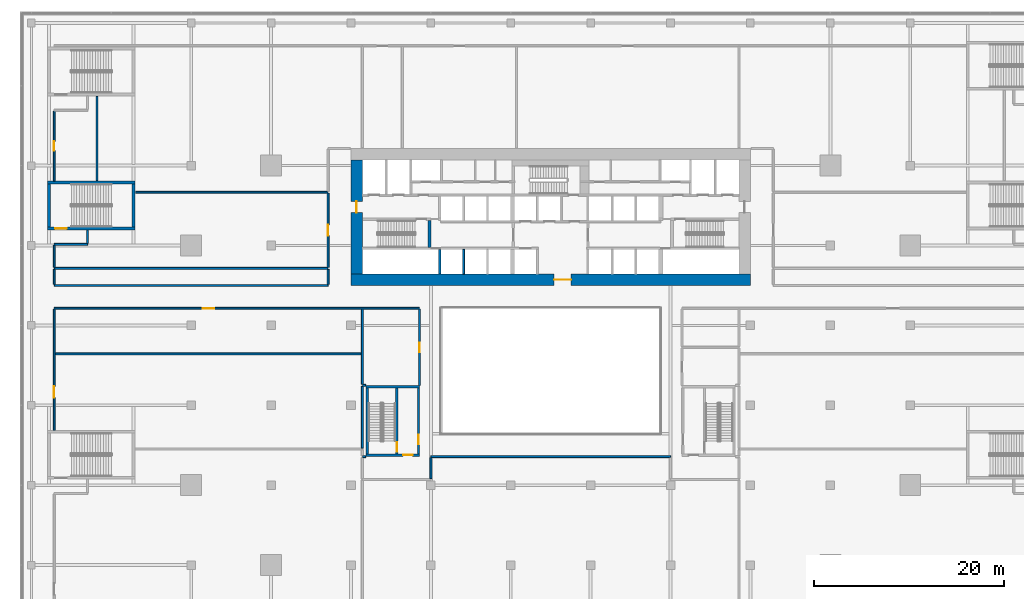
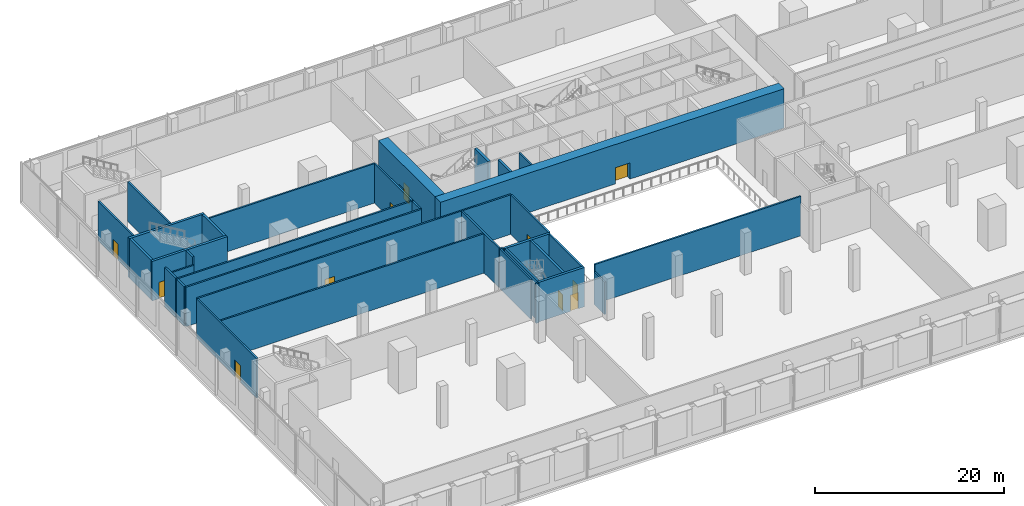
# One storey, part 27 of 39: 35 walls, 11 doors, 11 openings.
"""IFC4 building model written with IfcOpenShell, lengths in metres."""

from ifc_helpers import new_model, si_unit, direction, frame, frame_2d, origin, place, context, subcontext, project, spatial, rectangle, extrude, material, layer, layer_set, type_object, element, fill, save


model = new_model("IFC4")

# Units and contexts
model_context = context("Model", 3, precision=1e-05, world=origin(), true_north=direction((0.0, 1.0)))
body_context = subcontext(model_context, "Body", "Model", "MODEL_VIEW")
ifc_project = project(units=[si_unit("LENGTHUNIT", "METRE"), si_unit("AREAUNIT", "SQUARE_METRE"), si_unit("VOLUMEUNIT", "CUBIC_METRE"), si_unit("PLANEANGLEUNIT", "RADIAN"), si_unit("MASSUNIT", "GRAM", prefix="KILO")], contexts=[model_context])

# Site, building, storey
site_placement = place(None, origin())
site = spatial("IfcSite", under=ifc_project, at=site_placement, CompositionType="ELEMENT")
building_placement = place(site_placement, origin())
building = spatial("IfcBuilding", under=site, at=building_placement, Name="Saffron Gate Tower", CompositionType="ELEMENT")
storey_placement = place(building_placement, frame((0.0, 0.0, 9.0)))
storey = spatial("IfcBuildingStorey", under=building, at=storey_placement, Name="L01", CompositionType="ELEMENT", Elevation=9.0)

# Wall, opening, door
ifc_material_1 = material(Name="Concrete C70", Category="concrete")
ifc_layer_1 = layer(ifc_material_1, 1.199951171875)
ifc_layer_set_1 = layer_set([ifc_layer_1], Name="CW1 RC core wall 1200 C70")
wall_type_1 = type_object("IfcWallType", Name="CW1 RC core wall 1200 C70", PredefinedType="SOLIDWALL", material=ifc_layer_set_1)
wall_1_placement = place(storey_placement, frame((66.60009765625, 61.800048828125, 0.0), z_axis=(0.0, 0.0, 1.0), x_axis=(1.0, 0.0, 0.0)))
wall_1 = element("IfcWall", 1, at=wall_1_placement, inside=storey, type_object=wall_type_1, Name="Wall CW1-L01-1", PredefinedType="SOLIDWALL", context=body_context, shape_type="SweptSolid", body=[
    extrude(rectangle(XDim=42.0, YDim=1.199951171875, at=frame_2d((21.0, 0.0))), origin(), (0.0, 0.0, 1.0), 5.10009765625),
])
opening_1_placement = place(wall_1_placement, frame((21.35009765625, 0.0, 0.0)))
opening_1 = element("IfcOpeningElement", 2, at=opening_1_placement, cuts=wall_1, Name="Opening CR-09", PredefinedType="OPENING", context=body_context, shape_type="SweptSolid", body=[
    extrude(rectangle(XDim=1.800048828125, YDim=2.10009765625, at=frame_2d((0.89990234375, 1.050048828125))), frame((0.0, 0.60986328125, 0.0), z_axis=(0.0, -1.0, 0.0), x_axis=(1.0, 0.0, 0.0)), (0.0, 0.0, 1.0), 1.219970703125),
])
ifc_material_2 = material(Name="Steel fire door set", Category="steel")
door_type_1 = type_object("IfcDoorType", Name="CD1 Core entrance door 1800x2100 EI 120", OperationType="NOTDEFINED", PredefinedType="DOOR", material=ifc_material_2)
door_1_placement = place(opening_1_placement, origin())
door_1 = element("IfcDoor", 3, at=door_1_placement, inside=storey, type_object=door_type_1, Name="DOOR CR-09", OperationType="DOUBLE_DOOR_SINGLE_SWING", OverallHeight=2.10009765625, OverallWidth=1.800048828125, PredefinedType="DOOR", context=body_context, shape_type="SweptSolid", body=[
    extrude(rectangle(XDim=1.800048828125, YDim=2.10009765625, at=frame_2d((0.89990234375, 1.050048828125))), frame((0.0, 0.02490234375, 0.0), z_axis=(0.0, -1.0, 0.0), x_axis=(1.0, 0.0, 0.0)), (0.0, 0.0, 1.0), 0.050048828125),
])
fill(opening_1, door_1)

wall_2_placement = place(storey_placement, frame((67.199951171875, 62.39990234375, 0.0), z_axis=(0.0, 0.0, 1.0), x_axis=(0.0, 1.0, 0.0)))
wall_2 = element("IfcWall", 4, at=wall_2_placement, inside=storey, type_object=wall_type_1, Name="Wall CW1-L01-3", PredefinedType="SOLIDWALL", context=body_context, shape_type="SweptSolid", body=[
    extrude(rectangle(XDim=12.0, YDim=1.199951171875, at=frame_2d((6.0, 0.0))), origin(), (0.0, 0.0, 1.0), 5.10009765625),
])
opening_2_placement = place(wall_2_placement, frame((6.449951171875, 0.0, 0.0)))
opening_2 = element("IfcOpeningElement", 5, at=opening_2_placement, cuts=wall_2, Name="Opening CR-10", PredefinedType="OPENING", context=body_context, shape_type="SweptSolid", body=[
    extrude(rectangle(XDim=1.199951171875, YDim=2.10009765625, at=frame_2d((0.60009765625, 1.050048828125))), frame((0.0, 0.60986328125, 0.0), z_axis=(0.0, -1.0, 0.0), x_axis=(1.0, 0.0, 0.0)), (0.0, 0.0, 1.0), 1.219970703125),
])
door_type_2 = type_object("IfcDoorType", Name="CD7 Core entrance door 1200x2100 EI 120", OperationType="NOTDEFINED", PredefinedType="DOOR", material=ifc_material_2)
door_2_placement = place(opening_2_placement, origin())
door_2 = element("IfcDoor", 6, at=door_2_placement, inside=storey, type_object=door_type_2, Name="DOOR CR-10", OperationType="SINGLE_SWING_LEFT", OverallHeight=2.10009765625, OverallWidth=1.199951171875, PredefinedType="DOOR", context=body_context, shape_type="SweptSolid", body=[
    extrude(rectangle(XDim=1.199951171875, YDim=2.10009765625, at=frame_2d((0.60009765625, 1.050048828125))), frame((0.0, 0.02490234375, 0.0), z_axis=(0.0, -1.0, 0.0), x_axis=(1.0, 0.0, 0.0)), (0.0, 0.0, 1.0), 0.050048828125),
])
fill(opening_2, door_2)

ifc_material_3 = material(Name="Gypsum board partition on steel studs", Category="steel")
ifc_layer_2 = layer(ifc_material_3, 0.199951171875)
ifc_layer_set_2 = layer_set([ifc_layer_2], Name="CW10 Core partition 200")
wall_type_2 = type_object("IfcWallType", Name="CW10 Core partition 200", PredefinedType="PARTITIONING", material=ifc_layer_set_2)
wall_3_placement = place(storey_placement, frame((73.699951171875, 43.5, 0.0), z_axis=(0.0, 0.0, 1.0), x_axis=(0.0, 1.0, 0.0)))
wall_3 = element("IfcWall", 7, at=wall_3_placement, inside=storey, type_object=wall_type_2, Name="Wall CW10-L01-D-4", PredefinedType="PARTITIONING", context=body_context, shape_type="SweptSolid", body=[
    extrude(rectangle(XDim=6.89990234375, YDim=0.199951171875, at=frame_2d((3.449951171875, 0.0))), origin(), (0.0, 0.0, 1.0), 5.10009765625),
])
opening_3_placement = place(wall_3_placement, frame((1.0, 0.0, 0.0)))
opening_3 = element("IfcOpeningElement", 8, at=opening_3_placement, cuts=wall_3, Name="Opening CR-19", PredefinedType="OPENING", context=body_context, shape_type="SweptSolid", body=[
    extrude(rectangle(XDim=1.0, YDim=2.10009765625, at=frame_2d((0.5, 1.050048828125))), frame((0.0, 0.10986328125, 0.0), z_axis=(0.0, -1.0, 0.0), x_axis=(1.0, 0.0, 0.0)), (0.0, 0.0, 1.0), 0.219970703125),
])
door_type_3 = type_object("IfcDoorType", Name="CD4 Lobby door 1000x2100 EI 120", OperationType="NOTDEFINED", PredefinedType="DOOR", material=ifc_material_2)
door_3_placement = place(opening_3_placement, origin())
door_3 = element("IfcDoor", 9, at=door_3_placement, inside=storey, type_object=door_type_3, Name="DOOR CR-19", OperationType="SINGLE_SWING_RIGHT", OverallHeight=2.10009765625, OverallWidth=1.0, PredefinedType="DOOR", context=body_context, shape_type="SweptSolid", body=[
    extrude(rectangle(XDim=1.0, YDim=2.10009765625, at=frame_2d((0.5, 1.050048828125))), frame((0.0, 0.02490234375, 0.0), z_axis=(0.0, -1.0, 0.0), x_axis=(1.0, 0.0, 0.0)), (0.0, 0.0, 1.0), 0.050048828125),
])
fill(opening_3, door_3)

# Walls
ifc_layer_3 = layer(ifc_material_1, 0.25)
ifc_layer_set_3 = layer_set([ifc_layer_3], Name="CW2 RC core wall 250 C70")
wall_type_3 = type_object("IfcWallType", Name="CW2 RC core wall 250 C70", PredefinedType="SOLIDWALL", material=ifc_layer_set_3)
wall_4_placement = place(storey_placement, frame((75.925048828125, 62.39990234375, 0.0), z_axis=(0.0, 0.0, 1.0), x_axis=(0.0, 1.0, 0.0)))
element("IfcWall", 10, at=wall_4_placement, inside=storey, type_object=wall_type_3, Name="Wall CW2-L01-5", PredefinedType="SOLIDWALL", context=body_context, shape_type="SweptSolid", body=[
    extrude(rectangle(XDim=2.60009765625, YDim=0.25, at=frame_2d((1.300048828125, 0.0))), origin(), (0.0, 0.0, 1.0), 5.10009765625),
])
wall_5_placement = place(storey_placement, frame((68.324951171875, 43.5, 0.0), z_axis=(0.0, 0.0, 1.0), x_axis=(0.0, 1.0, 0.0)))
element("IfcWall", 11, at=wall_5_placement, inside=storey, type_object=wall_type_3, Name="Wall CW2-L01-D-2", PredefinedType="SOLIDWALL", context=body_context, shape_type="SweptSolid", body=[
    extrude(rectangle(XDim=6.89990234375, YDim=0.25, at=frame_2d((3.449951171875, 0.0))), origin(), (0.0, 0.0, 1.0), 5.10009765625),
])

# Wall, opening, door
wall_6_placement = place(storey_placement, frame((71.425048828125, 43.5, 0.0), z_axis=(0.0, 0.0, 1.0), x_axis=(0.0, 1.0, 0.0)))
wall_6 = element("IfcWall", 12, at=wall_6_placement, inside=storey, type_object=wall_type_3, Name="Wall CW2-L01-D-3", PredefinedType="SOLIDWALL", context=body_context, shape_type="SweptSolid", body=[
    extrude(rectangle(XDim=6.89990234375, YDim=0.25, at=frame_2d((3.449951171875, 0.0))), origin(), (0.0, 0.0, 1.0), 5.10009765625),
])
opening_4_placement = place(wall_6_placement, frame((0.199951171875, 0.0, 0.0)))
opening_4 = element("IfcOpeningElement", 13, at=opening_4_placement, cuts=wall_6, Name="Opening CR-20", PredefinedType="OPENING", context=body_context, shape_type="SweptSolid", body=[
    extrude(rectangle(XDim=1.0, YDim=2.10009765625, at=frame_2d((0.5, 1.050048828125))), frame((0.0, 0.135009765625, 0.0), z_axis=(0.0, -1.0, 0.0), x_axis=(1.0, 0.0, 0.0)), (0.0, 0.0, 1.0), 0.27001953125),
])
door_type_4 = type_object("IfcDoorType", Name="CD5 Stair door 1000x2100 EI 120", OperationType="NOTDEFINED", PredefinedType="DOOR", material=ifc_material_2)
door_4_placement = place(opening_4_placement, origin())
door_4 = element("IfcDoor", 14, at=door_4_placement, inside=storey, type_object=door_type_4, Name="DOOR CR-20", OperationType="SINGLE_SWING_LEFT", OverallHeight=2.10009765625, OverallWidth=1.0, PredefinedType="DOOR", context=body_context, shape_type="SweptSolid", body=[
    extrude(rectangle(XDim=1.0, YDim=2.10009765625, at=frame_2d((0.5, 1.050048828125))), frame((0.0, 0.02490234375, 0.0), z_axis=(0.0, -1.0, 0.0), x_axis=(1.0, 0.0, 0.0)), (0.0, 0.0, 1.0), 0.050048828125),
])
fill(opening_4, door_4)

# Walls
ifc_layer_4 = layer(ifc_material_1, 0.199951171875)
ifc_layer_set_4 = layer_set([ifc_layer_4], Name="CW3 RC core wall 200 C70")
wall_type_4 = type_object("IfcWallType", Name="CW3 RC core wall 200 C70", PredefinedType="SOLIDWALL", material=ifc_layer_set_4)
wall_7_placement = place(storey_placement, frame((78.449951171875, 62.39990234375, 0.0), z_axis=(0.0, 0.0, 1.0), x_axis=(0.0, 1.0, 0.0)))
element("IfcWall", 15, at=wall_7_placement, inside=storey, type_object=wall_type_4, Name="Wall CW3-L01-6", PredefinedType="SOLIDWALL", context=body_context, shape_type="SweptSolid", body=[
    extrude(rectangle(XDim=2.60009765625, YDim=0.199951171875, at=frame_2d((1.300048828125, 0.0))), origin(), (0.0, 0.0, 1.0), 5.10009765625),
])
ifc_layer_5 = layer(ifc_material_1, 0.300048828125)
ifc_layer_set_5 = layer_set([ifc_layer_5], Name="CW5 RC core wall 300 C70")
wall_type_5 = type_object("IfcWallType", Name="CW5 RC core wall 300 C70", PredefinedType="SOLIDWALL", material=ifc_layer_set_5)
wall_8_placement = place(storey_placement, frame((74.85009765625, 65.199951171875, 0.0), z_axis=(0.0, 0.0, 1.0), x_axis=(0.0, 1.0, 0.0)))
element("IfcWall", 16, at=wall_8_placement, inside=storey, type_object=wall_type_5, Name="Wall CW5-L01-16", PredefinedType="SOLIDWALL", context=body_context, shape_type="SweptSolid", body=[
    extrude(rectangle(XDim=2.85009765625, YDim=0.300048828125, at=frame_2d((1.425048828125, 0.0))), origin(), (0.0, 0.0, 1.0), 5.10009765625),
])

# Wall, opening, door
wall_9_placement = place(storey_placement, frame((68.199951171875, 43.35009765625, 0.0), z_axis=(0.0, 0.0, 1.0), x_axis=(1.0, 0.0, 0.0)))
wall_9 = element("IfcWall", 17, at=wall_9_placement, inside=storey, type_object=wall_type_5, Name="Wall CW5-L01-D-1", PredefinedType="SOLIDWALL", context=body_context, shape_type="SweptSolid", body=[
    extrude(rectangle(XDim=5.60009765625, YDim=0.300048828125, at=frame_2d((2.800048828125, 0.0))), origin(), (0.0, 0.0, 1.0), 5.10009765625),
])
opening_5_placement = place(wall_9_placement, frame((3.875, 0.0, 0.0)))
opening_5 = element("IfcOpeningElement", 18, at=opening_5_placement, cuts=wall_9, Name="Opening CR-18", PredefinedType="OPENING", context=body_context, shape_type="SweptSolid", body=[
    extrude(rectangle(XDim=1.0, YDim=2.10009765625, at=frame_2d((0.5, 1.050048828125))), frame((0.0, 0.16015625, 0.0), z_axis=(0.0, -1.0, 0.0), x_axis=(1.0, 0.0, 0.0)), (0.0, 0.0, 1.0), 0.320068359375),
])
door_5_placement = place(opening_5_placement, origin())
door_5 = element("IfcDoor", 19, at=door_5_placement, inside=storey, type_object=door_type_3, Name="DOOR CR-18", OperationType="SINGLE_SWING_RIGHT", OverallHeight=2.10009765625, OverallWidth=1.0, PredefinedType="DOOR", context=body_context, shape_type="SweptSolid", body=[
    extrude(rectangle(XDim=1.0, YDim=2.10009765625, at=frame_2d((0.5, 1.050048828125))), frame((0.0, 0.02490234375, 0.0), z_axis=(0.0, -1.0, 0.0), x_axis=(1.0, 0.0, 0.0)), (0.0, 0.0, 1.0), 0.050048828125),
])
fill(opening_5, door_5)

# Wall
wall_10_placement = place(storey_placement, frame((68.199951171875, 50.550048828125, 0.0), z_axis=(0.0, 0.0, 1.0), x_axis=(1.0, 0.0, 0.0)))
element("IfcWall", 20, at=wall_10_placement, inside=storey, type_object=wall_type_5, Name="Wall CW5-L01-D-5", PredefinedType="SOLIDWALL", context=body_context, shape_type="SweptSolid", body=[
    extrude(rectangle(XDim=5.60009765625, YDim=0.300048828125, at=frame_2d((2.800048828125, 0.0))), origin(), (0.0, 0.0, 1.0), 5.10009765625),
])

# Wall, opening, door
wall_11_placement = place(storey_placement, frame((34.699951171875, 67.175048828125, 0.0), z_axis=(0.0, 0.0, 1.0), x_axis=(1.0, 0.0, 0.0)))
wall_11 = element("IfcWall", 21, at=wall_11_placement, inside=storey, type_object=wall_type_5, Name="Wall CW5-L01-G-1", PredefinedType="SOLIDWALL", context=body_context, shape_type="SweptSolid", body=[
    extrude(rectangle(XDim=9.199951171875, YDim=0.300048828125, at=frame_2d((4.60009765625, 0.0))), origin(), (0.0, 0.0, 1.0), 5.10009765625),
])
opening_6_placement = place(wall_11_placement, frame((0.800048828125, 0.0, 0.0)))
opening_6 = element("IfcOpeningElement", 22, at=opening_6_placement, cuts=wall_11, Name="Opening CR-29", PredefinedType="OPENING", context=body_context, shape_type="SweptSolid", body=[
    extrude(rectangle(XDim=1.199951171875, YDim=2.10009765625, at=frame_2d((0.60009765625, 1.050048828125))), frame((0.0, 0.16015625, 0.0), z_axis=(0.0, -1.0, 0.0), x_axis=(1.0, 0.0, 0.0)), (0.0, 0.0, 1.0), 0.320068359375),
])
door_type_5 = type_object("IfcDoorType", Name="CD12 Stair door 1200x2100 EI 120", OperationType="NOTDEFINED", PredefinedType="DOOR", material=ifc_material_2)
door_6_placement = place(opening_6_placement, origin())
door_6 = element("IfcDoor", 23, at=door_6_placement, inside=storey, type_object=door_type_5, Name="DOOR CR-29", OperationType="SINGLE_SWING_RIGHT", OverallHeight=2.10009765625, OverallWidth=1.199951171875, PredefinedType="DOOR", context=body_context, shape_type="SweptSolid", body=[
    extrude(rectangle(XDim=1.199951171875, YDim=2.10009765625, at=frame_2d((0.60009765625, 1.050048828125))), frame((0.0, 0.02490234375, 0.0), z_axis=(0.0, -1.0, 0.0), x_axis=(1.0, 0.0, 0.0)), (0.0, 0.0, 1.0), 0.050048828125),
])
fill(opening_6, door_6)

# Walls
for number, where, z_axis, x_axis, name in (
    (24, (34.85009765625, 67.324951171875, 0.0), (0.0, 0.0, 1.0), (0.0, 1.0, 0.0), "Wall CW5-L01-G-2"),
    (25, (43.75, 67.324951171875, 0.0), (0.0, 0.0, 1.0), (0.0, 1.0, 0.0), "Wall CW5-L01-G-3"),
):
    element("IfcWall", number, at=place(storey_placement, frame(where, z_axis=z_axis, x_axis=x_axis)), inside=storey, type_object=wall_type_5, Name=name, PredefinedType="SOLIDWALL", context=body_context, shape_type="SweptSolid", body=[
        extrude(rectangle(XDim=4.550048828125, YDim=0.300048828125, at=frame_2d((2.27490234375, 0.0))), origin(), (0.0, 0.0, 1.0), 5.10009765625),
    ])
wall_12_placement = place(storey_placement, frame((34.699951171875, 72.02490234375, 0.0), z_axis=(0.0, 0.0, 1.0), x_axis=(1.0, 0.0, 0.0)))
element("IfcWall", 26, at=wall_12_placement, inside=storey, type_object=wall_type_5, Name="Wall CW5-L01-G-4", PredefinedType="SOLIDWALL", context=body_context, shape_type="SweptSolid", body=[
    extrude(rectangle(XDim=9.199951171875, YDim=0.300048828125, at=frame_2d((4.60009765625, 0.0))), origin(), (0.0, 0.0, 1.0), 5.10009765625),
])
ifc_material_4 = material(Name="Clay brick masonry, rendered", Category="masonry")
ifc_layer_6 = layer(ifc_material_4, 0.199951171875)
ifc_layer_set_6 = layer_set([ifc_layer_6], Name="PW3 Corridor wall 200")
wall_type_6 = type_object("IfcWallType", Name="PW3 Corridor wall 200", PredefinedType="PARTITIONING", material=ifc_layer_set_6)
wall_13_placement = place(storey_placement, frame((75.0, 43.199951171875, 0.0), z_axis=(0.0, 0.0, 1.0), x_axis=(1.0, 0.0, 0.0)))
element("IfcWall", 27, at=wall_13_placement, inside=storey, type_object=wall_type_6, Name="Wall P1-6", PredefinedType="PARTITIONING", context=body_context, shape_type="SweptSolid", body=[
    extrude(rectangle(XDim=25.199951171875, YDim=0.199951171875, at=frame_2d((12.60009765625, 0.0))), origin(), (0.0, 0.0, 1.0), 5.10009765625),
])

# Wall, opening, door
wall_14_placement = place(storey_placement, frame((73.800048828125, 58.800048828125, 0.0), z_axis=(0.0, 0.0, 1.0), x_axis=(-1.0, 0.0, 0.0)))
wall_14 = element("IfcWall", 28, at=wall_14_placement, inside=storey, type_object=wall_type_6, Name="Wall P1-16", PredefinedType="PARTITIONING", context=body_context, shape_type="SweptSolid", body=[
    extrude(rectangle(XDim=38.400146484375, YDim=0.199951171875, at=frame_2d((19.2001953125, 0.0))), origin(), (0.0, 0.0, 1.0), 5.10009765625),
])
opening_7_placement = place(wall_14_placement, frame((21.60009765625, 0.0, 0.0)))
opening_7 = element("IfcOpeningElement", 29, at=opening_7_placement, cuts=wall_14, Name="Opening P1-15", PredefinedType="OPENING", context=body_context, shape_type="SweptSolid", body=[
    extrude(rectangle(XDim=1.199951171875, YDim=2.10009765625, at=frame_2d((0.60009765625, 1.050048828125))), frame((0.0, 0.10986328125, 0.0), z_axis=(0.0, -1.0, 0.0), x_axis=(1.0, 0.0, 0.0)), (0.0, 0.0, 1.0), 0.219970703125),
])
ifc_material_5 = material(Name="Timber door set", Category="wood")
door_type_6 = type_object("IfcDoorType", Name="HD1 Hall door 1200x2100", OperationType="NOTDEFINED", PredefinedType="DOOR", material=ifc_material_5)
door_7_placement = place(opening_7_placement, origin())
door_7 = element("IfcDoor", 30, at=door_7_placement, inside=storey, type_object=door_type_6, Name="Door P1-15", OperationType="SINGLE_SWING_RIGHT", OverallHeight=2.10009765625, OverallWidth=1.199951171875, PredefinedType="DOOR", context=body_context, shape_type="SweptSolid", body=[
    extrude(rectangle(XDim=1.199951171875, YDim=2.10009765625, at=frame_2d((0.60009765625, 1.050048828125))), frame((0.0, 0.02490234375, 0.0), z_axis=(0.0, -1.0, 0.0), x_axis=(1.0, 0.0, 0.0)), (0.0, 0.0, 1.0), 0.050048828125),
])
fill(opening_7, door_7)

# Wall
wall_15_placement = place(storey_placement, frame((35.39990234375, 65.52490234375, 0.0), z_axis=(0.0, 0.0, 1.0), x_axis=(1.0, 0.0, 0.0)))
element("IfcWall", 31, at=wall_15_placement, inside=storey, type_object=wall_type_6, Name="Wall P1-23", PredefinedType="PARTITIONING", context=body_context, shape_type="SweptSolid", body=[
    extrude(rectangle(XDim=3.5, YDim=0.199951171875, at=frame_2d((1.75, 0.0))), origin(), (0.0, 0.0, 1.0), 4.110107421875),
])

# Wall, opening, door
wall_16_placement = place(storey_placement, frame((35.39990234375, 58.699951171875, 0.0), z_axis=(0.0, 0.0, 1.0), x_axis=(0.0, -1.0, 0.0)))
wall_16 = element("IfcWall", 32, at=wall_16_placement, inside=storey, type_object=wall_type_6, Name="Wall P1-35", PredefinedType="PARTITIONING", context=body_context, shape_type="SweptSolid", body=[
    extrude(rectangle(XDim=12.724853515625, YDim=0.199951171875, at=frame_2d((6.3623046875, 0.0))), origin(), (0.0, 0.0, 1.0), 5.10009765625),
])
opening_8_placement = place(wall_16_placement, frame((8.112548828125, 0.0, 0.0)))
opening_8 = element("IfcOpeningElement", 33, at=opening_8_placement, cuts=wall_16, Name="Opening P1-12", PredefinedType="OPENING", context=body_context, shape_type="SweptSolid", body=[
    extrude(rectangle(XDim=1.199951171875, YDim=2.10009765625, at=frame_2d((0.60009765625, 1.050048828125))), frame((0.0, 0.10986328125, 0.0), z_axis=(0.0, -1.0, 0.0), x_axis=(1.0, 0.0, 0.0)), (0.0, 0.0, 1.0), 0.219970703125),
])
door_8_placement = place(opening_8_placement, origin())
door_8 = element("IfcDoor", 34, at=door_8_placement, inside=storey, type_object=door_type_6, Name="Door P1-12", OperationType="SINGLE_SWING_RIGHT", OverallHeight=2.10009765625, OverallWidth=1.199951171875, PredefinedType="DOOR", context=body_context, shape_type="SweptSolid", body=[
    extrude(rectangle(XDim=1.199951171875, YDim=2.10009765625, at=frame_2d((0.60009765625, 1.050048828125))), frame((0.0, 0.02490234375, 0.0), z_axis=(0.0, -1.0, 0.0), x_axis=(1.0, 0.0, 0.0)), (0.0, 0.0, 1.0), 0.050048828125),
])
fill(opening_8, door_8)

# Wall
wall_17_placement = place(storey_placement, frame((35.39990234375, 65.425048828125, 0.0), z_axis=(0.0, 0.0, 1.0), x_axis=(0.0, -1.0, 0.0)))
element("IfcWall", 35, at=wall_17_placement, inside=storey, type_object=wall_type_6, Name="Wall P1-36", PredefinedType="PARTITIONING", context=body_context, shape_type="SweptSolid", body=[
    extrude(rectangle(XDim=2.324951171875, YDim=0.199951171875, at=frame_2d((1.16259765625, 0.0))), origin(), (0.0, 0.0, 1.0), 5.10009765625),
])

# Wall, opening, door
wall_18_placement = place(storey_placement, frame((35.39990234375, 79.52490234375, 0.0), z_axis=(0.0, 0.0, 1.0), x_axis=(0.0, -1.0, 0.0)))
wall_18 = element("IfcWall", 36, at=wall_18_placement, inside=storey, type_object=wall_type_6, Name="Wall P1-37", PredefinedType="PARTITIONING", context=body_context, shape_type="SweptSolid", body=[
    extrude(rectangle(XDim=7.349853515625, YDim=0.199951171875, at=frame_2d((3.6748046875, 0.0))), origin(), (0.0, 0.0, 1.0), 5.10009765625),
])
opening_9_placement = place(wall_18_placement, frame((3.175048828125, 0.0, 0.0)))
opening_9 = element("IfcOpeningElement", 37, at=opening_9_placement, cuts=wall_18, Name="Opening P1-5", PredefinedType="OPENING", context=body_context, shape_type="SweptSolid", body=[
    extrude(rectangle(XDim=1.0, YDim=2.10009765625, at=frame_2d((0.5, 1.050048828125))), frame((0.0, 0.10986328125, 0.0), z_axis=(0.0, -1.0, 0.0), x_axis=(1.0, 0.0, 0.0)), (0.0, 0.0, 1.0), 0.219970703125),
])
door_type_7 = type_object("IfcDoorType", Name="RD1 Room door 900x2100", OperationType="NOTDEFINED", PredefinedType="DOOR", material=ifc_material_5)
door_9_placement = place(opening_9_placement, origin())
door_9 = element("IfcDoor", 38, at=door_9_placement, inside=storey, type_object=door_type_7, Name="Door P1-5", OperationType="SINGLE_SWING_RIGHT", OverallHeight=2.10009765625, OverallWidth=1.0, PredefinedType="DOOR", context=body_context, shape_type="SweptSolid", body=[
    extrude(rectangle(XDim=1.0, YDim=2.10009765625, at=frame_2d((0.5, 1.050048828125))), frame((0.0, 0.02490234375, 0.0), z_axis=(0.0, -1.0, 0.0), x_axis=(1.0, 0.0, 0.0)), (0.0, 0.0, 1.0), 0.050048828125),
])
fill(opening_9, door_9)

# Wall
wall_19_placement = place(storey_placement, frame((38.89990234375, 67.02490234375, 0.0), z_axis=(0.0, 0.0, 1.0), x_axis=(0.0, -1.0, 0.0)))
element("IfcWall", 39, at=wall_19_placement, inside=storey, type_object=wall_type_6, Name="Wall P1-40", PredefinedType="PARTITIONING", context=body_context, shape_type="SweptSolid", body=[
    extrude(rectangle(XDim=1.39990234375, YDim=0.199951171875, at=frame_2d((0.699951171875, 0.0))), origin(), (0.0, 0.0, 1.0), 5.10009765625),
])

# Wall, opening, door
wall_20_placement = place(storey_placement, frame((64.199951171875, 63.10009765625, 0.0), z_axis=(0.0, 0.0, 1.0), x_axis=(0.0, 1.0, 0.0)))
wall_20 = element("IfcWall", 40, at=wall_20_placement, inside=storey, type_object=wall_type_6, Name="Wall P1-43", PredefinedType="PARTITIONING", context=body_context, shape_type="SweptSolid", body=[
    extrude(rectangle(XDim=7.7998046875, YDim=0.199951171875, at=frame_2d((3.89990234375, 0.0))), origin(), (0.0, 0.0, 1.0), 5.10009765625),
])
opening_10_placement = place(wall_20_placement, frame((3.300048828125, 0.0, 0.0)))
opening_10 = element("IfcOpeningElement", 41, at=opening_10_placement, cuts=wall_20, Name="Opening P1-16", PredefinedType="OPENING", context=body_context, shape_type="SweptSolid", body=[
    extrude(rectangle(XDim=1.199951171875, YDim=2.10009765625, at=frame_2d((0.60009765625, 1.050048828125))), frame((0.0, 0.10986328125, 0.0), z_axis=(0.0, -1.0, 0.0), x_axis=(1.0, 0.0, 0.0)), (0.0, 0.0, 1.0), 0.219970703125),
])
door_10_placement = place(opening_10_placement, origin())
door_10 = element("IfcDoor", 42, at=door_10_placement, inside=storey, type_object=door_type_6, Name="Door P1-16", OperationType="SINGLE_SWING_LEFT", OverallHeight=2.10009765625, OverallWidth=1.199951171875, PredefinedType="DOOR", context=body_context, shape_type="SweptSolid", body=[
    extrude(rectangle(XDim=1.199951171875, YDim=2.10009765625, at=frame_2d((0.60009765625, 1.050048828125))), frame((0.0, 0.02490234375, 0.0), z_axis=(0.0, -1.0, 0.0), x_axis=(1.0, 0.0, 0.0)), (0.0, 0.0, 1.0), 0.050048828125),
])
fill(opening_10, door_10)

wall_21_placement = place(storey_placement, frame((73.800048828125, 50.699951171875, 0.0), z_axis=(0.0, 0.0, 1.0), x_axis=(0.0, 1.0, 0.0)))
wall_21 = element("IfcWall", 43, at=wall_21_placement, inside=storey, type_object=wall_type_6, Name="Wall P1-53", PredefinedType="PARTITIONING", context=body_context, shape_type="SweptSolid", body=[
    extrude(rectangle(XDim=8.0, YDim=0.199951171875, at=frame_2d((4.0, 0.0))), origin(), (0.0, 0.0, 1.0), 5.10009765625),
])
opening_11_placement = place(wall_21_placement, frame((3.5, 0.0, 0.0)))
opening_11 = element("IfcOpeningElement", 44, at=opening_11_placement, cuts=wall_21, Name="Opening P1-7", PredefinedType="OPENING", context=body_context, shape_type="SweptSolid", body=[
    extrude(rectangle(XDim=1.0, YDim=2.10009765625, at=frame_2d((0.5, 1.050048828125))), frame((0.0, 0.10986328125, 0.0), z_axis=(0.0, -1.0, 0.0), x_axis=(1.0, 0.0, 0.0)), (0.0, 0.0, 1.0), 0.219970703125),
])
door_11_placement = place(opening_11_placement, origin())
door_11 = element("IfcDoor", 45, at=door_11_placement, inside=storey, type_object=door_type_7, Name="Door P1-7", OperationType="SINGLE_SWING_LEFT", OverallHeight=2.10009765625, OverallWidth=1.0, PredefinedType="DOOR", context=body_context, shape_type="SweptSolid", body=[
    extrude(rectangle(XDim=1.0, YDim=2.10009765625, at=frame_2d((0.5, 1.050048828125))), frame((0.0, 0.02490234375, 0.0), z_axis=(0.0, -1.0, 0.0), x_axis=(1.0, 0.0, 0.0)), (0.0, 0.0, 1.0), 0.050048828125),
])
fill(opening_11, door_11)

# Walls
wall_22_placement = place(storey_placement, frame((75.0, 43.10009765625, 0.0), z_axis=(0.0, 0.0, 1.0), x_axis=(0.0, -1.0, 0.0)))
element("IfcWall", 46, at=wall_22_placement, inside=storey, type_object=wall_type_6, Name="Wall P1-54", PredefinedType="PARTITIONING", context=body_context, shape_type="SweptSolid", body=[
    extrude(rectangle(XDim=2.2001953125, YDim=0.199951171875, at=frame_2d((1.10009765625, 0.0))), origin(), (0.0, 0.0, 1.0), 4.199951171875),
])
ifc_layer_7 = layer(ifc_material_4, 0.199951171875)
ifc_layer_set_7 = layer_set([ifc_layer_7], Name="PW5 Room wall 200")
wall_type_7 = type_object("IfcWallType", Name="PW5 Room wall 200", PredefinedType="PARTITIONING", material=ifc_layer_set_7)
for number, where, z_axis, x_axis, name in (
    (47, (67.820068359375, 43.199951171875, 0.0), (0.0, 0.0, 1.0), (1.0, 0.0, 0.0), "Wall P1-7"),
    (48, (67.820068359375, 50.699951171875, 0.0), (0.0, 0.0, 1.0), (1.0, 0.0, 0.0), "Wall P1-11"),
):
    element("IfcWall", number, at=place(storey_placement, frame(where, z_axis=z_axis, x_axis=x_axis)), inside=storey, type_object=wall_type_7, Name=name, PredefinedType="PARTITIONING", context=body_context, shape_type="SweptSolid", body=[
        extrude(rectangle(XDim=0.329833984375, YDim=0.199951171875, at=frame_2d((0.1650390625, 0.0))), origin(), (0.0, 0.0, 1.0), 5.10009765625),
    ])
wall_23_placement = place(storey_placement, frame((35.5, 54.0, 0.0), z_axis=(0.0, 0.0, 1.0), x_axis=(1.0, 0.0, 0.0)))
element("IfcWall", 49, at=wall_23_placement, inside=storey, type_object=wall_type_7, Name="Wall P1-13", PredefinedType="PARTITIONING", context=body_context, shape_type="SweptSolid", body=[
    extrude(rectangle(XDim=32.199951171875, YDim=0.199951171875, at=frame_2d((16.10009765625, 0.0))), origin(), (0.0, 0.0, 1.0), 5.10009765625),
])
wall_24_placement = place(storey_placement, frame((35.419921875, 61.199951171875, 0.0), z_axis=(0.0, 0.0, 1.0), x_axis=(1.0, 0.0, 0.0)))
element("IfcWall", 50, at=wall_24_placement, inside=storey, type_object=wall_type_7, Name="Wall P1-19", PredefinedType="PARTITIONING", context=body_context, shape_type="SweptSolid", body=[
    extrude(rectangle(XDim=28.780029296875, YDim=0.199951171875, at=frame_2d((14.39013671875, 0.0))), origin(), (0.0, 0.0, 1.0), 5.10009765625),
])
wall_25_placement = place(storey_placement, frame((35.419921875, 63.0, 0.0), z_axis=(0.0, 0.0, 1.0), x_axis=(1.0, 0.0, 0.0)))
element("IfcWall", 51, at=wall_25_placement, inside=storey, type_object=wall_type_7, Name="Wall P1-21", PredefinedType="PARTITIONING", context=body_context, shape_type="SweptSolid", body=[
    extrude(rectangle(XDim=28.760009765625, YDim=0.199951171875, at=frame_2d((14.3798828125, 0.0))), origin(), (0.0, 0.0, 1.0), 5.10009765625),
])
wall_26_placement = place(storey_placement, frame((43.949951171875, 71.0, 0.0), z_axis=(0.0, 0.0, 1.0), x_axis=(1.0, 0.0, 0.0)))
element("IfcWall", 52, at=wall_26_placement, inside=storey, type_object=wall_type_7, Name="Wall P1-25", PredefinedType="PARTITIONING", context=body_context, shape_type="SweptSolid", body=[
    extrude(rectangle(XDim=20.22998046875, YDim=0.199951171875, at=frame_2d((10.114990234375, 0.0))), origin(), (0.0, 0.0, 1.0), 5.10009765625),
])
wall_27_placement = place(storey_placement, frame((35.39990234375, 62.89990234375, 0.0), z_axis=(0.0, 0.0, 1.0), x_axis=(0.0, -1.0, 0.0)))
element("IfcWall", 53, at=wall_27_placement, inside=storey, type_object=wall_type_7, Name="Wall P1-38", PredefinedType="PARTITIONING", context=body_context, shape_type="SweptSolid", body=[
    extrude(rectangle(XDim=1.599853515625, YDim=0.199951171875, at=frame_2d((0.7998046875, 0.0))), origin(), (0.0, 0.0, 1.0), 5.10009765625),
])
wall_28_placement = place(storey_placement, frame((39.89990234375, 81.074951171875, 0.0), z_axis=(0.0, 0.0, 1.0), x_axis=(0.0, -1.0, 0.0)))
element("IfcWall", 54, at=wall_28_placement, inside=storey, type_object=wall_type_7, Name="Wall P1-42", PredefinedType="PARTITIONING", context=body_context, shape_type="SweptSolid", body=[
    extrude(rectangle(XDim=8.849853515625, YDim=0.199951171875, at=frame_2d((4.4248046875, 0.0))), origin(), (0.0, 0.0, 1.0), 5.10009765625),
])
wall_29_placement = place(storey_placement, frame((64.199951171875, 62.89990234375, 0.0), z_axis=(0.0, 0.0, 1.0), x_axis=(0.0, -1.0, 0.0)))
element("IfcWall", 55, at=wall_29_placement, inside=storey, type_object=wall_type_7, Name="Wall P1-44", PredefinedType="PARTITIONING", context=body_context, shape_type="SweptSolid", body=[
    extrude(rectangle(XDim=1.599853515625, YDim=0.199951171875, at=frame_2d((0.7998046875, 0.0))), origin(), (0.0, 0.0, 1.0), 5.10009765625),
])
wall_30_placement = place(storey_placement, frame((67.800048828125, 50.60009765625, 0.0), z_axis=(0.0, 0.0, 1.0), x_axis=(0.0, -1.0, 0.0)))
element("IfcWall", 56, at=wall_30_placement, inside=storey, type_object=wall_type_7, Name="Wall P1-48", PredefinedType="PARTITIONING", context=body_context, shape_type="SweptSolid", body=[
    extrude(rectangle(XDim=6.5, YDim=0.199951171875, at=frame_2d((3.25, 0.0))), origin(), (0.0, 0.0, 1.0), 5.10009765625),
])
wall_31_placement = place(storey_placement, frame((67.800048828125, 58.699951171875, 0.0), z_axis=(0.0, 0.0, 1.0), x_axis=(0.0, -1.0, 0.0)))
element("IfcWall", 57, at=wall_31_placement, inside=storey, type_object=wall_type_7, Name="Wall P1-51", PredefinedType="PARTITIONING", context=body_context, shape_type="SweptSolid", body=[
    extrude(rectangle(XDim=7.89990234375, YDim=0.199951171875, at=frame_2d((3.949951171875, 0.0))), origin(), (0.0, 0.0, 1.0), 5.10009765625),
])

save(model, "model.ifc")
